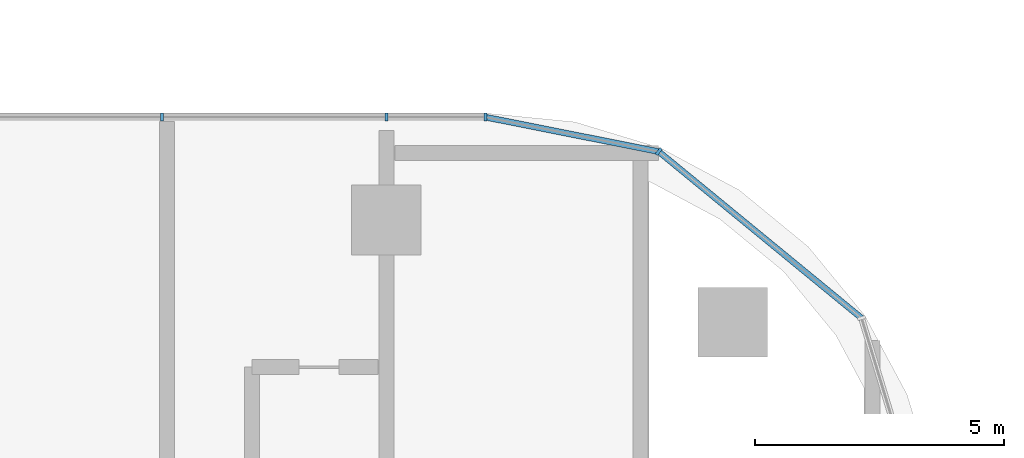
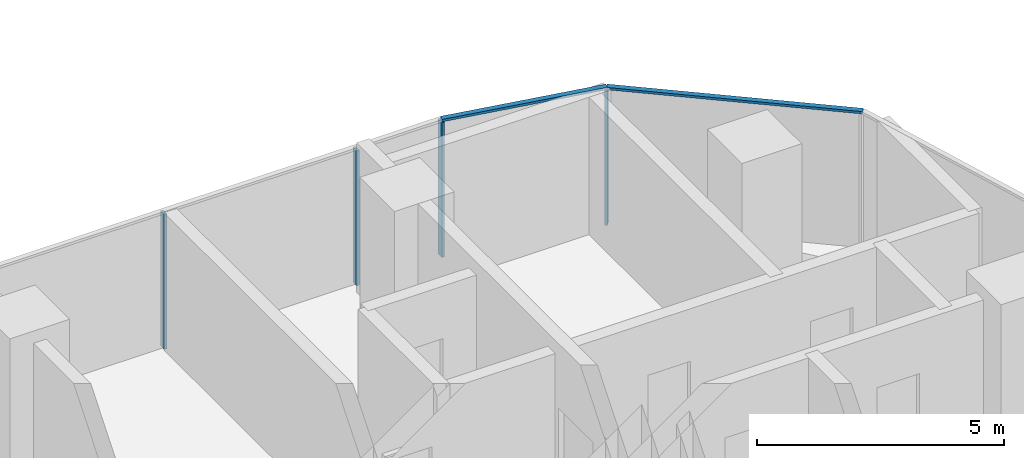
# One storey, part 5 of 32: 6 members, 2 elements without a shape of their own.
"""IFC4 building model written with IfcOpenShell, lengths in metres."""

from ifc_helpers import new_model, si_unit, direction, frame, origin, origin_2d, place, context, subcontext, project, spatial, rectangle, extrude, material, material_profile, profile_set, type_object, element, aggregate, save


model = new_model("IFC4")

# Units and contexts
model_context = context("Model", 3, precision=1e-05, world=origin(), true_north=direction((0.0, 1.0)))
body_context = subcontext(model_context, "Body", "Model", "MODEL_VIEW")
ifc_project = project(units=[si_unit("LENGTHUNIT", "METRE"), si_unit("AREAUNIT", "SQUARE_METRE"), si_unit("VOLUMEUNIT", "CUBIC_METRE"), si_unit("PLANEANGLEUNIT", "RADIAN"), si_unit("MASSUNIT", "GRAM", prefix="KILO")], contexts=[model_context])

# Site, building, storey
site_placement = place(None, origin())
site = spatial("IfcSite", under=ifc_project, at=site_placement, CompositionType="ELEMENT")
building_placement = place(site_placement, origin())
building = spatial("IfcBuilding", under=site, at=building_placement, Name="Ogive Portal Towers", CompositionType="ELEMENT")
storey_placement = place(building_placement, frame((0.0, 0.0, 59.39990234375)))
storey = spatial("IfcBuildingStorey", under=building, at=storey_placement, Name="L13", CompositionType="ELEMENT", Elevation=59.39990234375)

# Curtain wall, members
ifc_material_1 = material(Name="Glass, clear low-iron insulated glazing", Category="glass")
curtain_wall_type = type_object("IfcCurtainWallType", Name="CW FRONT RIBBON 4500", PredefinedType="NOTDEFINED", material=ifc_material_1)
curtain_wall_1_placement = place(storey_placement, origin())
curtain_wall_1 = element("IfcCurtainWall", 1, at=curtain_wall_1_placement, inside=storey, type_object=curtain_wall_type, Name="A:L13:f16:cw0", PredefinedType="NOTDEFINED")
ifc_material_2 = material(Name="Aluminium 6063 anodised", Category="aluminium")
ifc_material_profile_1 = material_profile(ifc_material_2, rectangle(XDim=0.159912109375, YDim=0.06005859375, at=origin_2d()), Name="AL 60x160")
ifc_profile_set_1 = profile_set([ifc_material_profile_1], Name="Aluminium 6063 anodised")
member_type_1 = type_object("IfcMemberType", Name="CW MULLION 60x160", PredefinedType="MULLION", material=ifc_profile_set_1)
member_1_placement = place(storey_placement, frame((87.4921875, 41.56494140625, 0.0), z_axis=(0.0, 0.0, 1.0), x_axis=(0.0, -1.0, 0.0)))
member_1 = element("IfcMember", 2, at=member_1_placement, type_object=member_type_1, Name="mullion", PredefinedType="MULLION", context=body_context, shape_type="SweptSolid", body=[
    extrude(rectangle(XDim=0.159912109375, YDim=0.06005859375, at=origin_2d()), origin(), (0.0, 0.0, 1.0), 3.340087890625),
])
member_2_placement = place(storey_placement, frame((85.5, 41.56494140625, 0.0), z_axis=(0.0, 0.0, 1.0), x_axis=(0.0, -1.0, 0.0)))
member_2 = element("IfcMember", 3, at=member_2_placement, type_object=member_type_1, Name="mullion", PredefinedType="MULLION", context=body_context, shape_type="SweptSolid", body=[
    extrude(rectangle(XDim=0.159912109375, YDim=0.06005859375, at=origin_2d()), origin(), (0.0, 0.0, 1.0), 3.340087890625),
])
member_3_placement = place(storey_placement, frame((81.0, 41.56494140625, 0.0), z_axis=(0.0, 0.0, 1.0), x_axis=(0.0, -1.0, 0.0)))
member_3 = element("IfcMember", 4, at=member_3_placement, type_object=member_type_1, Name="mullion", PredefinedType="MULLION", context=body_context, shape_type="SweptSolid", body=[
    extrude(rectangle(XDim=0.159912109375, YDim=0.06005859375, at=origin_2d()), origin(), (0.0, 0.0, 1.0), 3.340087890625),
])
aggregate(curtain_wall_1, [member_1, member_2, member_3])

curtain_wall_2_placement = place(storey_placement, origin())
curtain_wall_2 = element("IfcCurtainWall", 5, at=curtain_wall_2_placement, inside=storey, type_object=curtain_wall_type, Name="A:L13:f13:cwa", PredefinedType="NOTDEFINED")
member_4_placement = place(storey_placement, frame((90.96435546875, 40.874267578125, 0.0), z_axis=(0.0, 0.0, 1.0), x_axis=(-0.634393284164, -0.773010453363, 0.0)))
member_4 = element("IfcMember", 6, at=member_4_placement, type_object=member_type_1, Name="mullion", PredefinedType="MULLION", context=body_context, shape_type="SweptSolid", body=[
    extrude(rectangle(XDim=0.159912109375, YDim=0.06005859375, at=origin_2d()), origin(), (0.0, 0.0, 1.0), 3.340087890625),
])
ifc_material_profile_2 = material_profile(ifc_material_2, rectangle(XDim=0.1201171875, YDim=0.06005859375, at=origin_2d()), Name="AL 120x60")
ifc_profile_set_2 = profile_set([ifc_material_profile_2], Name="Aluminium 6063 anodised")
member_type_2 = type_object("IfcMemberType", Name="CW TRANSOM 60x120", PredefinedType="USERDEFINED", material=ifc_profile_set_2)
member_5_placement = place(storey_placement, frame((95.0341796875, 37.5341796875, 3.3701171875), z_axis=(-0.773003982505, 0.634401168845, 0.0), x_axis=(-0.634401168845, -0.773003982505, 0.0)))
member_5 = element("IfcMember", 7, at=member_5_placement, type_object=member_type_2, Name="transom", ObjectType="TRANSOM", PredefinedType="USERDEFINED", context=body_context, shape_type="SweptSolid", body=[
    extrude(rectangle(XDim=0.1201171875, YDim=0.06005859375, at=origin_2d()), origin(), (0.0, 0.0, 1.0), 5.264892578125),
])
member_6_placement = place(storey_placement, frame((90.96435546875, 40.874267578125, 3.3701171875), z_axis=(-0.980784379, 0.195094853621, 0.0), x_axis=(-0.195094853621, -0.980784379, 0.0)))
member_6 = element("IfcMember", 8, at=member_6_placement, type_object=member_type_2, Name="transom", ObjectType="TRANSOM", PredefinedType="USERDEFINED", context=body_context, shape_type="SweptSolid", body=[
    extrude(rectangle(XDim=0.1201171875, YDim=0.06005859375, at=origin_2d()), origin(), (0.0, 0.0, 1.0), 3.540283203125),
])
aggregate(curtain_wall_2, [member_5, member_6, member_4])

save(model, "model.ifc")
